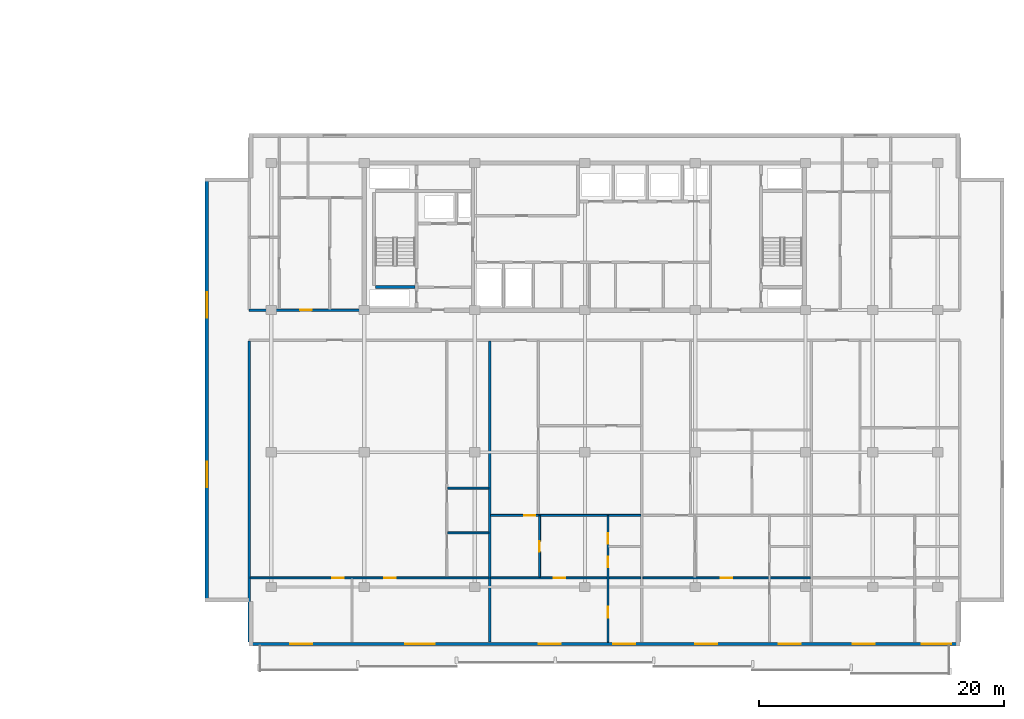
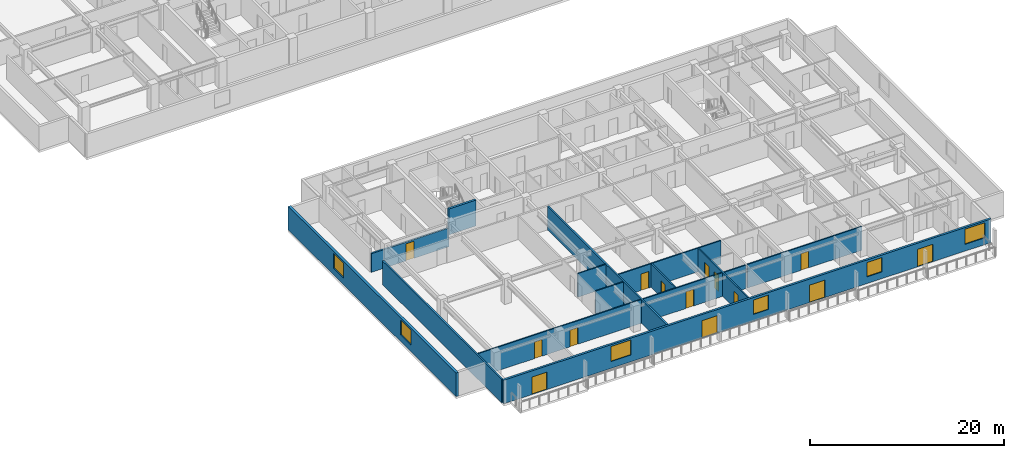
# One storey, part 4 of 21: 14 doors, 14 walls, 6 windows, 20 openings.
"""IFC4 building model written with IfcOpenShell, lengths in metres."""

import ifcopenshell
import ifcopenshell.guid

model = None  # the IFC model being written
_history = None  # IfcOwnerHistory: only IFC2X3 demands one
_inside = {}  # id of a spatial element -> (the spatial element, [elements in it])
_under = {}  # id of a project, library or spatial element -> (it, [spatial elements below it])
_declared = {}  # id of a project -> (the project, [libraries it declares])
_typed = {}  # id of a type object -> (the type object, [elements of that type])
_made_of = {}  # id of a material, layer set ... -> (it, [elements and type objects made of it])


def new_model(schema):
    """Start an empty IFC model of exactly this schema.

    Asked for "IFC4X3", IfcOpenShell would pick the latest addendum, in which some entities
    have other attributes; the version numbers below select the first issue.
    IFC2X3 requires an IfcOwnerHistory on every rooted entity: one is made here for all.
    """
    global model, _history
    if schema == "IFC4X3":
        model = ifcopenshell.file(schema_version=(4, 3, 0, 0))
    else:
        model = ifcopenshell.file(schema=schema)
    _inside.clear()
    _under.clear()
    _declared.clear()
    _typed.clear()
    _made_of.clear()
    _history = None
    if model.schema == "IFC2X3":
        org = make("IfcOrganization", Name="unknown")
        user = make(
            "IfcPersonAndOrganization",
            ThePerson=make("IfcPerson", FamilyName="unknown"),
            TheOrganization=org,
        )
        app = make(
            "IfcApplication",
            ApplicationDeveloper=org,
            Version="unknown",
            ApplicationFullName="unknown",
            ApplicationIdentifier="unknown",
        )
        _history = make(
            "IfcOwnerHistory",
            OwningUser=user,
            OwningApplication=app,
            ChangeAction="ADDED",
            CreationDate=0,
        )
    return model


def make(cls, **values):
    """One entity of the class cls with the attributes given. An attribute that is None is left unset."""
    return model.create_entity(
        cls, **{name: value for name, value in values.items() if value is not None}
    )


def rooted(cls, **values):
    """An entity with a GlobalId (a new one), such as an element, a storey or a relation."""
    return make(cls, GlobalId=ifcopenshell.guid.new(), OwnerHistory=_history, **values)


def si_unit(unit_type, name, prefix=None):
    """IfcSIUnit, for example si_unit("LENGTHUNIT", "METRE", prefix="MILLI")."""
    return make("IfcSIUnit", UnitType=unit_type, Prefix=prefix, Name=name)


def assignment(units):
    """IfcUnitAssignment: the units of a project."""
    return None if units is None else make("IfcUnitAssignment", Units=units)


def point(xyz):
    """IfcCartesianPoint."""
    return None if xyz is None else make("IfcCartesianPoint", Coordinates=xyz)


def direction(xyz):
    """IfcDirection."""
    return None if xyz is None else make("IfcDirection", DirectionRatios=xyz)


def frame(location, z_axis=None, x_axis=None):
    """IfcAxis2Placement3D, a coordinate frame: its origin and axes. An axis left out is left unset."""
    return make(
        "IfcAxis2Placement3D",
        Location=point(location),
        Axis=direction(z_axis),
        RefDirection=direction(x_axis),
    )


def frame_2d(location, x_axis=None):
    """IfcAxis2Placement2D, a coordinate frame in the plane: its origin and x axis."""
    return make(
        "IfcAxis2Placement2D", Location=point(location), RefDirection=direction(x_axis)
    )


def origin():
    """The frame at (0, 0, 0) with its axes left unset."""
    return frame((0.0, 0.0, 0.0))


def place(relative_to, where):
    """IfcLocalPlacement: puts the frame where relative to a parent placement (None: the world)."""
    return make(
        "IfcLocalPlacement", PlacementRelTo=relative_to, RelativePlacement=where
    )


def context(
    kind, dimensions, precision=None, world=None, true_north=None, identifier=None
):
    """IfcGeometricRepresentationContext, for example the 3D "Model" context."""
    return make(
        "IfcGeometricRepresentationContext",
        ContextIdentifier=identifier,
        ContextType=kind,
        CoordinateSpaceDimension=dimensions,
        Precision=precision,
        WorldCoordinateSystem=world,
        TrueNorth=true_north,
    )


def subcontext(parent, identifier, kind, view, scale=None):
    """IfcGeometricRepresentationSubContext, for example "Body" below "Model"."""
    return make(
        "IfcGeometricRepresentationSubContext",
        ContextIdentifier=identifier,
        ContextType=kind,
        ParentContext=parent,
        TargetScale=scale,
        TargetView=view,
    )


def project(units=None, contexts=None):
    """IfcProject with its units and contexts."""
    return rooted(
        "IfcProject",
        Name="project",
        RepresentationContexts=contexts,
        UnitsInContext=assignment(units),
    )


def spatial(cls, under=None, at=None, **own):
    """A site, building, storey or space (cls), placed at a placement, below another one or the project."""
    s = rooted(cls, ObjectPlacement=at, **own)
    if under is not None:
        _under.setdefault(under.id(), (under, []))[1].append(s)
    return s


def profile(cls, at=None, kind="AREA", **sizes):
    """A parametric profile (cls). Its sizes go by their IFC names, for example OverallWidth=200.0."""
    return make(cls, ProfileType=kind, Position=at, **sizes)


def rectangle(**sizes):
    """IfcRectangleProfileDef."""
    return profile("IfcRectangleProfileDef", **sizes)


def extrude(swept, where, along, depth):
    """IfcExtrudedAreaSolid: the profile swept, set in the frame where, extruded along a direction by depth."""
    return make(
        "IfcExtrudedAreaSolid",
        SweptArea=swept,
        Position=where,
        ExtrudedDirection=direction(along),
        Depth=depth,
    )


def shape(context_of_items, identifier, shape_type, items):
    """IfcShapeRepresentation: the items that make up one representation, for example the "Body"."""
    return make(
        "IfcShapeRepresentation",
        ContextOfItems=context_of_items,
        RepresentationIdentifier=identifier,
        RepresentationType=shape_type,
        Items=items,
    )


def material(Name=None, Category=None):
    """IfcMaterial."""
    return make("IfcMaterial", Name=Name, Category=Category)


def layer(
    of_material, thickness, ventilated=None, Name=None, Category=None, Priority=None
):
    """IfcMaterialLayer: one layer of a wall or slab, of a material (None: an air gap)."""
    return make(
        "IfcMaterialLayer",
        Material=of_material,
        LayerThickness=thickness,
        IsVentilated=ventilated,
        Name=Name,
        Category=Category,
        Priority=Priority,
    )


def layer_set(layers, Name=None):
    """IfcMaterialLayerSet."""
    return make("IfcMaterialLayerSet", MaterialLayers=layers, LayerSetName=Name)


def made_of(thing, what):
    """Note that an element or type object is made of a material, layer set ...; save() writes the relation."""
    if what is not None:
        _made_of.setdefault(what.id(), (what, []))[1].append(thing)
    return thing


def type_object(cls, material=None, **own):
    """A type object (cls), such as IfcWallType, which elements share."""
    return made_of(rooted(cls, **own), material)


def element(
    cls,
    number,
    at=None,
    inside=None,
    cuts=None,
    type_object=None,
    material=None,
    context=None,
    identifier="Body",
    shape_type=None,
    held_by="IfcProductDefinitionShape",
    body=None,
    shapes=None,
    **own,
):
    """One element of the class cls, such as IfcWall. Its Tag is "e" and its number.

    at: its placement. inside: the storey or other place that contains it. cuts: it is an
    opening in that element (IfcRelVoidsElement). A single representation is given by context,
    identifier, shape_type and body (its items); several are given by shapes. held_by: the class
    of the entity that holds the representations. save() writes the other relations.
    """
    e = rooted(cls, Tag="e%d" % number, ObjectPlacement=at, **own)
    if body is not None:
        shapes = [shape(context, identifier, shape_type, body)]
    if shapes is not None:
        e.Representation = make(held_by, Representations=shapes)
    if inside is not None:
        _inside.setdefault(inside.id(), (inside, []))[1].append(e)
    if cuts is not None:
        rooted(
            "IfcRelVoidsElement", RelatingBuildingElement=cuts, RelatedOpeningElement=e
        )
    if type_object is not None:
        _typed.setdefault(type_object.id(), (type_object, []))[1].append(e)
    return made_of(e, material)


def fill(opening, filler):
    """IfcRelFillsElement: the door or window that sits in an opening."""
    return rooted(
        "IfcRelFillsElement",
        RelatingOpeningElement=opening,
        RelatedBuildingElement=filler,
    )


def aggregate(whole, parts):
    """IfcRelAggregates: a whole, such as a stair, and the parts it consists of."""
    return rooted("IfcRelAggregates", RelatingObject=whole, RelatedObjects=parts)


def save(model, path):
    """Write the relations noted so far, then the file.

    IfcRelAggregates (storeys below a building ...), IfcRelContainedInSpatialStructure (elements
    in a storey), IfcRelDefinesByType, IfcRelAssociatesMaterial and IfcRelDeclares: one each for
    every whole, place, type object, material and project.
    """
    for whole, parts in _under.values():
        aggregate(whole, parts)
    for where, things in _inside.values():
        rooted(
            "IfcRelContainedInSpatialStructure",
            RelatedElements=things,
            RelatingStructure=where,
        )
    for kind, things in _typed.values():
        rooted("IfcRelDefinesByType", RelatedObjects=things, RelatingType=kind)
    for what, things in _made_of.values():
        rooted("IfcRelAssociatesMaterial", RelatedObjects=things, RelatingMaterial=what)
    for by, libraries in _declared.values():
        rooted("IfcRelDeclares", RelatingContext=by, RelatedDefinitions=libraries)
    model.write(path)


model = new_model("IFC4")

# Units and contexts
model_context = context("Model", 3, precision=1e-05, world=origin(), true_north=direction((0.0, 1.0)))
body_context = subcontext(model_context, "Body", "Model", "MODEL_VIEW")
ifc_project = project(units=[si_unit("LENGTHUNIT", "METRE"), si_unit("AREAUNIT", "SQUARE_METRE"), si_unit("VOLUMEUNIT", "CUBIC_METRE"), si_unit("PLANEANGLEUNIT", "RADIAN"), si_unit("MASSUNIT", "GRAM", prefix="KILO")], contexts=[model_context])

# Site, building, storey
site_placement = place(None, origin())
site = spatial("IfcSite", under=ifc_project, at=site_placement, CompositionType="ELEMENT")
building_placement = place(site_placement, origin())
building = spatial("IfcBuilding", under=site, at=building_placement, Name="Korimba Cascade Residences", CompositionType="ELEMENT")
storey_placement = place(building_placement, frame((0.0, 0.0, 106.800048828125)))
storey = spatial("IfcBuildingStorey", under=building, at=storey_placement, Name="L30", CompositionType="ELEMENT", Elevation=106.800048828125)

# Wall, openings, doors, windows
ifc_material_1 = material(Name="Precast concrete C40/50", Category="concrete")
ifc_layer_1 = layer(ifc_material_1, 0.25)
ifc_layer_set_1 = layer_set([ifc_layer_1], Name="Precast concrete C40/50")
wall_type_1 = type_object("IfcWallType", Name="EW-LOG-250", PredefinedType="STANDARD", material=ifc_layer_set_1)
wall_1_placement = place(storey_placement, frame((72.699951171875, -8.85009765625, 0.0), z_axis=(0.0, 0.0, 1.0), x_axis=(1.0, 0.0, 0.0)))
wall_1 = element("IfcWall", 1, at=wall_1_placement, inside=storey, type_object=wall_type_1, Name="L30 T2 Perimeter Stone Wall E00", PredefinedType="STANDARD", context=body_context, shape_type="SweptSolid", body=[
    extrude(rectangle(XDim=58.0, YDim=0.25, at=frame_2d((29.0, 0.0))), origin(), (0.0, 0.0, 1.0), 2.969970703125),
])
opening_1_placement = place(wall_1_placement, frame((3.3583984375, 0.0, 0.0)))
opening_1 = element("IfcOpeningElement", 2, at=opening_1_placement, cuts=wall_1, Name="Opening D-LG1", PredefinedType="OPENING", context=body_context, shape_type="SweptSolid", body=[
    extrude(rectangle(XDim=1.800048828125, YDim=2.199951171875, at=frame_2d((0.89990234375, 1.10009765625))), frame((0.0, 0.135009765625, 0.0), z_axis=(0.0, -1.0, 0.0), x_axis=(1.0, 0.0, 0.0)), (0.0, 0.0, 1.0), 0.27001953125),
])
opening_2_placement = place(wall_1_placement, frame((12.7548828125, 0.0, 0.85009765625)))
opening_2 = element("IfcOpeningElement", 3, at=opening_2_placement, cuts=wall_1, Name="Opening W-01", PredefinedType="OPENING", context=body_context, shape_type="SweptSolid", body=[
    extrude(rectangle(XDim=2.39990234375, YDim=1.89990234375, at=frame_2d((1.199951171875, 0.949951171875))), frame((0.0, 0.135009765625, 0.0), z_axis=(0.0, -1.0, 0.0), x_axis=(1.0, 0.0, 0.0)), (0.0, 0.0, 1.0), 0.27001953125),
])
opening_3_placement = place(wall_1_placement, frame((23.61669921875, 0.0, 0.0)))
opening_3 = element("IfcOpeningElement", 4, at=opening_3_placement, cuts=wall_1, Name="Opening D-LG1", PredefinedType="OPENING", context=body_context, shape_type="SweptSolid", body=[
    extrude(rectangle(XDim=1.800048828125, YDim=2.199951171875, at=frame_2d((0.89990234375, 1.10009765625))), frame((0.0, 0.135009765625, 0.0), z_axis=(0.0, -1.0, 0.0), x_axis=(1.0, 0.0, 0.0)), (0.0, 0.0, 1.0), 0.27001953125),
])
opening_4_placement = place(wall_1_placement, frame((29.705078125, 0.0, 0.85009765625)))
opening_4 = element("IfcOpeningElement", 5, at=opening_4_placement, cuts=wall_1, Name="Opening W-02", PredefinedType="OPENING", context=body_context, shape_type="SweptSolid", body=[
    extrude(rectangle(XDim=1.800048828125, YDim=1.800048828125, at=frame_2d((0.89990234375, 0.89990234375))), frame((0.0, 0.135009765625, 0.0), z_axis=(0.0, -1.0, 0.0), x_axis=(1.0, 0.0, 0.0)), (0.0, 0.0, 1.0), 0.27001953125),
])
opening_5_placement = place(wall_1_placement, frame((36.41650390625, 0.0, 0.0)))
opening_5 = element("IfcOpeningElement", 6, at=opening_5_placement, cuts=wall_1, Name="Opening D-LG1", PredefinedType="OPENING", context=body_context, shape_type="SweptSolid", body=[
    extrude(rectangle(XDim=1.800048828125, YDim=2.199951171875, at=frame_2d((0.89990234375, 1.10009765625))), frame((0.0, 0.135009765625, 0.0), z_axis=(0.0, -1.0, 0.0), x_axis=(1.0, 0.0, 0.0)), (0.0, 0.0, 1.0), 0.27001953125),
])
opening_6_placement = place(wall_1_placement, frame((43.21337890625, 0.0, 0.85009765625)))
opening_6 = element("IfcOpeningElement", 7, at=opening_6_placement, cuts=wall_1, Name="Opening W-02", PredefinedType="OPENING", context=body_context, shape_type="SweptSolid", body=[
    extrude(rectangle(XDim=1.800048828125, YDim=1.800048828125, at=frame_2d((0.89990234375, 0.89990234375))), frame((0.0, 0.135009765625, 0.0), z_axis=(0.0, -1.0, 0.0), x_axis=(1.0, 0.0, 0.0)), (0.0, 0.0, 1.0), 0.27001953125),
])
opening_7_placement = place(wall_1_placement, frame((49.26171875, 0.0, 0.0)))
opening_7 = element("IfcOpeningElement", 8, at=opening_7_placement, cuts=wall_1, Name="Opening D-LG1", PredefinedType="OPENING", context=body_context, shape_type="SweptSolid", body=[
    extrude(rectangle(XDim=1.800048828125, YDim=2.199951171875, at=frame_2d((0.89990234375, 1.10009765625))), frame((0.0, 0.135009765625, 0.0), z_axis=(0.0, -1.0, 0.0), x_axis=(1.0, 0.0, 0.0)), (0.0, 0.0, 1.0), 0.27001953125),
])
opening_8_placement = place(wall_1_placement, frame((54.89990234375, 0.0, 0.85009765625)))
opening_8 = element("IfcOpeningElement", 9, at=opening_8_placement, cuts=wall_1, Name="Opening W-01", PredefinedType="OPENING", context=body_context, shape_type="SweptSolid", body=[
    extrude(rectangle(XDim=2.39990234375, YDim=1.89990234375, at=frame_2d((1.199951171875, 0.949951171875))), frame((0.0, 0.135009765625, 0.0), z_axis=(0.0, -1.0, 0.0), x_axis=(1.0, 0.0, 0.0)), (0.0, 0.0, 1.0), 0.27001953125),
])
ifc_material_2 = material(Name="Glazed Aluminium Loggia Sliding Door", Category="aluminium")
door_type_1 = type_object("IfcDoorType", Name="DR-EXT-LOG", OperationType="NOTDEFINED", PredefinedType="DOOR", material=ifc_material_2)
door_1_placement = place(opening_1_placement, origin())
door_1 = element("IfcDoor", 10, at=door_1_placement, inside=storey, type_object=door_type_1, Name="L30 T2 Loggia Sliding Door 3", OperationType="SLIDING_TO_RIGHT", OverallHeight=2.199951171875, OverallWidth=1.800048828125, PredefinedType="DOOR", context=body_context, shape_type="SweptSolid", body=[
    extrude(rectangle(XDim=1.800048828125, YDim=2.199951171875, at=frame_2d((0.89990234375, 1.10009765625))), frame((0.0, 0.02490234375, 0.0), z_axis=(0.0, -1.0, 0.0), x_axis=(1.0, 0.0, 0.0)), (0.0, 0.0, 1.0), 0.050048828125),
])
fill(opening_1, door_1)
door_2_placement = place(opening_3_placement, origin())
door_2 = element("IfcDoor", 11, at=door_2_placement, inside=storey, type_object=door_type_1, Name="L30 T2 Loggia Sliding Door 5", OperationType="SLIDING_TO_RIGHT", OverallHeight=2.199951171875, OverallWidth=1.800048828125, PredefinedType="DOOR", context=body_context, shape_type="SweptSolid", body=[
    extrude(rectangle(XDim=1.800048828125, YDim=2.199951171875, at=frame_2d((0.89990234375, 1.10009765625))), frame((0.0, 0.02490234375, 0.0), z_axis=(0.0, -1.0, 0.0), x_axis=(1.0, 0.0, 0.0)), (0.0, 0.0, 1.0), 0.050048828125),
])
fill(opening_3, door_2)
door_3_placement = place(opening_5_placement, origin())
door_3 = element("IfcDoor", 12, at=door_3_placement, inside=storey, type_object=door_type_1, Name="L30 T2 Loggia Sliding Door 7", OperationType="SLIDING_TO_RIGHT", OverallHeight=2.199951171875, OverallWidth=1.800048828125, PredefinedType="DOOR", context=body_context, shape_type="SweptSolid", body=[
    extrude(rectangle(XDim=1.800048828125, YDim=2.199951171875, at=frame_2d((0.89990234375, 1.10009765625))), frame((0.0, 0.02490234375, 0.0), z_axis=(0.0, -1.0, 0.0), x_axis=(1.0, 0.0, 0.0)), (0.0, 0.0, 1.0), 0.050048828125),
])
fill(opening_5, door_3)
door_4_placement = place(opening_7_placement, origin())
door_4 = element("IfcDoor", 13, at=door_4_placement, inside=storey, type_object=door_type_1, Name="L30 T2 Loggia Sliding Door 9", OperationType="SLIDING_TO_RIGHT", OverallHeight=2.199951171875, OverallWidth=1.800048828125, PredefinedType="DOOR", context=body_context, shape_type="SweptSolid", body=[
    extrude(rectangle(XDim=1.800048828125, YDim=2.199951171875, at=frame_2d((0.89990234375, 1.10009765625))), frame((0.0, 0.02490234375, 0.0), z_axis=(0.0, -1.0, 0.0), x_axis=(1.0, 0.0, 0.0)), (0.0, 0.0, 1.0), 0.050048828125),
])
fill(opening_7, door_4)
ifc_material_3 = material(Name="Double-Glazed Aluminium Window", Category="aluminium")
window_type_1 = type_object("IfcWindowType", Name="WIN-BED-1800", PartitioningType="SINGLE_PANEL", PredefinedType="WINDOW", material=ifc_material_3)
window_1_placement = place(opening_4_placement, origin())
window_1 = element("IfcWindow", 14, at=window_1_placement, inside=storey, type_object=window_type_1, Name="L30 T2 South Facade Window 6", OverallHeight=1.800048828125, OverallWidth=1.800048828125, PartitioningType="SINGLE_PANEL", PredefinedType="WINDOW", context=body_context, shape_type="SweptSolid", body=[
    extrude(rectangle(XDim=1.800048828125, YDim=1.800048828125, at=frame_2d((0.89990234375, 0.89990234375))), frame((0.0, 0.030029296875, 0.0), z_axis=(0.0, -1.0, 0.0), x_axis=(1.0, 0.0, 0.0)), (0.0, 0.0, 1.0), 0.06005859375),
])
fill(opening_4, window_1)
window_2_placement = place(opening_6_placement, origin())
window_2 = element("IfcWindow", 15, at=window_2_placement, inside=storey, type_object=window_type_1, Name="L30 T2 South Facade Window 8", OverallHeight=1.800048828125, OverallWidth=1.800048828125, PartitioningType="SINGLE_PANEL", PredefinedType="WINDOW", context=body_context, shape_type="SweptSolid", body=[
    extrude(rectangle(XDim=1.800048828125, YDim=1.800048828125, at=frame_2d((0.89990234375, 0.89990234375))), frame((0.0, 0.030029296875, 0.0), z_axis=(0.0, -1.0, 0.0), x_axis=(1.0, 0.0, 0.0)), (0.0, 0.0, 1.0), 0.06005859375),
])
fill(opening_6, window_2)
window_type_2 = type_object("IfcWindowType", Name="WIN-RES-2400", PartitioningType="DOUBLE_PANEL_VERTICAL", PredefinedType="WINDOW", material=ifc_material_3)
window_3_placement = place(opening_2_placement, origin())
window_3 = element("IfcWindow", 16, at=window_3_placement, inside=storey, type_object=window_type_2, Name="L30 T2 South Facade Window 4", OverallHeight=1.89990234375, OverallWidth=2.39990234375, PartitioningType="DOUBLE_PANEL_VERTICAL", PredefinedType="WINDOW", context=body_context, shape_type="SweptSolid", body=[
    extrude(rectangle(XDim=2.39990234375, YDim=1.89990234375, at=frame_2d((1.199951171875, 0.949951171875))), frame((0.0, 0.030029296875, 0.0), z_axis=(0.0, -1.0, 0.0), x_axis=(1.0, 0.0, 0.0)), (0.0, 0.0, 1.0), 0.06005859375),
])
fill(opening_2, window_3)
window_4_placement = place(opening_8_placement, origin())
window_4 = element("IfcWindow", 17, at=window_4_placement, inside=storey, type_object=window_type_2, Name="L30 T2 South Facade Window 10", OverallHeight=1.89990234375, OverallWidth=2.39990234375, PartitioningType="DOUBLE_PANEL_VERTICAL", PredefinedType="WINDOW", context=body_context, shape_type="SweptSolid", body=[
    extrude(rectangle(XDim=2.39990234375, YDim=1.89990234375, at=frame_2d((1.199951171875, 0.949951171875))), frame((0.0, 0.030029296875, 0.0), z_axis=(0.0, -1.0, 0.0), x_axis=(1.0, 0.0, 0.0)), (0.0, 0.0, 1.0), 0.06005859375),
])
fill(opening_8, window_4)

# Wall, openings, windows
ifc_layer_2 = layer(ifc_material_1, 0.300048828125)
ifc_layer_set_2 = layer_set([ifc_layer_2], Name="Precast concrete C40/50")
wall_type_2 = type_object("IfcWallType", Name="EW-STONE-300", PredefinedType="STANDARD", material=ifc_layer_set_2)
wall_2_placement = place(storey_placement, frame((69.25, 29.199951171875, 0.0), z_axis=(0.0, 0.0, 1.0), x_axis=(0.0, -1.0, 0.0)))
wall_2 = element("IfcWall", 18, at=wall_2_placement, inside=storey, type_object=wall_type_2, Name="L30 T2 Perimeter Stone Wall E09", PredefinedType="STANDARD", context=body_context, shape_type="SweptSolid", body=[
    extrude(rectangle(XDim=34.599853515625, YDim=0.300048828125, at=frame_2d((17.2998046875, 0.0))), origin(), (0.0, 0.0, 1.0), 2.969970703125),
])
opening_9_placement = place(wall_2_placement, frame((9.330078125, 0.0, 0.85009765625)))
opening_9 = element("IfcOpeningElement", 19, at=opening_9_placement, cuts=wall_2, Name="Opening W-03", PredefinedType="OPENING", context=body_context, shape_type="SweptSolid", body=[
    extrude(rectangle(XDim=2.10009765625, YDim=1.85009765625, at=frame_2d((1.050048828125, 0.925048828125))), frame((0.0, 0.16015625, 0.0), z_axis=(0.0, -1.0, 0.0), x_axis=(1.0, 0.0, 0.0)), (0.0, 0.0, 1.0), 0.320068359375),
])
opening_10_placement = place(wall_2_placement, frame((23.169921875, 0.0, 0.85009765625)))
opening_10 = element("IfcOpeningElement", 20, at=opening_10_placement, cuts=wall_2, Name="Opening W-03", PredefinedType="OPENING", context=body_context, shape_type="SweptSolid", body=[
    extrude(rectangle(XDim=2.10009765625, YDim=1.85009765625, at=frame_2d((1.050048828125, 0.925048828125))), frame((0.0, 0.16015625, 0.0), z_axis=(0.0, -1.0, 0.0), x_axis=(1.0, 0.0, 0.0)), (0.0, 0.0, 1.0), 0.320068359375),
])
window_type_3 = type_object("IfcWindowType", Name="WIN-CRN-2100", PartitioningType="DOUBLE_PANEL_HORIZONTAL", PredefinedType="WINDOW", material=ifc_material_3)
window_5_placement = place(opening_9_placement, origin())
window_5 = element("IfcWindow", 21, at=window_5_placement, inside=storey, type_object=window_type_3, Name="L30 T2 End View Window 9.1", OverallHeight=1.85009765625, OverallWidth=2.10009765625, PartitioningType="DOUBLE_PANEL_HORIZONTAL", PredefinedType="WINDOW", context=body_context, shape_type="SweptSolid", body=[
    extrude(rectangle(XDim=2.10009765625, YDim=1.85009765625, at=frame_2d((1.050048828125, 0.925048828125))), frame((0.0, 0.030029296875, 0.0), z_axis=(0.0, -1.0, 0.0), x_axis=(1.0, 0.0, 0.0)), (0.0, 0.0, 1.0), 0.06005859375),
])
fill(opening_9, window_5)
window_6_placement = place(opening_10_placement, origin())
window_6 = element("IfcWindow", 22, at=window_6_placement, inside=storey, type_object=window_type_3, Name="L30 T2 End View Window 9.2", OverallHeight=1.85009765625, OverallWidth=2.10009765625, PartitioningType="DOUBLE_PANEL_HORIZONTAL", PredefinedType="WINDOW", context=body_context, shape_type="SweptSolid", body=[
    extrude(rectangle(XDim=2.10009765625, YDim=1.85009765625, at=frame_2d((1.050048828125, 0.925048828125))), frame((0.0, 0.030029296875, 0.0), z_axis=(0.0, -1.0, 0.0), x_axis=(1.0, 0.0, 0.0)), (0.0, 0.0, 1.0), 0.06005859375),
])
fill(opening_10, window_6)

# Wall, opening, door
ifc_layer_3 = layer(ifc_material_1, 0.199951171875)
ifc_layer_set_3 = layer_set([ifc_layer_3], Name="Precast concrete C40/50")
wall_type_3 = type_object("IfcWallType", Name="WAL-IT-200", PredefinedType="PARTITIONING", material=ifc_layer_set_3)
wall_3_placement = place(storey_placement, frame((72.699951171875, 18.39990234375, 0.0), z_axis=(0.0, 0.0, 1.0), x_axis=(1.0, 0.0, 0.0)))
wall_3 = element("IfcWall", 23, at=wall_3_placement, inside=storey, type_object=wall_type_3, Name="L30 Partition Wall WAL-L30-T2-FW-S", PredefinedType="PARTITIONING", context=body_context, shape_type="SweptSolid", body=[
    extrude(rectangle(XDim=9.25, YDim=0.199951171875, at=frame_2d((4.625, 0.0))), origin(), (0.0, 0.0, 1.0), 2.357666015625),
])
opening_11_placement = place(wall_3_placement, frame((4.14990234375, 0.0, 0.0)))
opening_11 = element("IfcOpeningElement", 24, at=opening_11_placement, cuts=wall_3, Name="Opening D-UN1", PredefinedType="OPENING", context=body_context, shape_type="SweptSolid", body=[
    extrude(rectangle(XDim=0.949951171875, YDim=2.14990234375, at=frame_2d((0.47509765625, 1.074951171875))), frame((0.0, 0.10986328125, 0.0), z_axis=(0.0, -1.0, 0.0), x_axis=(1.0, 0.0, 0.0)), (0.0, 0.0, 1.0), 0.219970703125),
])
ifc_material_4 = material(Name="Fire-Rated Hardwood Apartment Entrance Door", Category="wood")
door_type_2 = type_object("IfcDoorType", Name="DR-FD60-950", OperationType="NOTDEFINED", PredefinedType="DOOR", material=ifc_material_4)
door_5_placement = place(opening_11_placement, origin())
door_5 = element("IfcDoor", 25, at=door_5_placement, inside=storey, type_object=door_type_2, Name="L30-T2-FW Entrance Door", OperationType="SINGLE_SWING_RIGHT", OverallHeight=2.14990234375, OverallWidth=0.949951171875, PredefinedType="DOOR", context=body_context, shape_type="SweptSolid", body=[
    extrude(rectangle(XDim=0.949951171875, YDim=2.14990234375, at=frame_2d((0.47509765625, 1.074951171875))), frame((0.0, 0.02490234375, 0.0), z_axis=(0.0, -1.0, 0.0), x_axis=(1.0, 0.0, 0.0)), (0.0, 0.0, 1.0), 0.050048828125),
])
fill(opening_11, door_5)

# Walls
for number, where, z_axis, x_axis, name in (
    (26, (72.699951171875, -8.699951171875, 0.0), (0.0, 0.0, 1.0), (0.0, 1.0, 0.0), "L30 Partition Wall WAL-L30-T2-BNDWL"),
    (27, (92.333251953125, -8.699951171875, 0.0), (0.0, 0.0, 1.0), (0.0, 1.0, 0.0), "L30 Partition Wall WAL-L30-T2-DEM-1"),
):
    element("IfcWall", number, at=place(storey_placement, frame(where, z_axis=z_axis, x_axis=x_axis)), inside=storey, type_object=wall_type_3, Name=name, PredefinedType="PARTITIONING", context=body_context, shape_type="SweptSolid", body=[
        extrude(rectangle(XDim=24.570068359375, YDim=0.199951171875, at=frame_2d((12.28515625, 0.0))), origin(), (0.0, 0.0, 1.0), 2.969970703125),
    ])
ifc_material_5 = material(Name="Insulated Acoustic Stud Partition", Category="gypsum")
ifc_layer_4 = layer(ifc_material_5, 0.14990234375)
ifc_layer_set_4 = layer_set([ifc_layer_4], Name="Insulated Acoustic Stud Partition")
wall_type_4 = type_object("IfcWallType", Name="WAL-PART-150", PredefinedType="PARTITIONING", material=ifc_layer_set_4)
for number, where, z_axis, x_axis, name in (
    (28, (88.893310546875, 0.219970703125, 0.0), (0.0, 0.0, 1.0), (1.0, 0.0, 0.0), "L30 Partition Wall WAL-L30-T2-U01-WCH"),
    (29, (88.893310546875, 3.8701171875, 0.0), (0.0, 0.0, 1.0), (1.0, 0.0, 0.0), "L30 Partition Wall WAL-L30-T2-U01-WCH2"),
):
    element("IfcWall", number, at=place(storey_placement, frame(where, z_axis=z_axis, x_axis=x_axis)), inside=storey, type_object=wall_type_4, Name=name, PredefinedType="PARTITIONING", context=body_context, shape_type="SweptSolid", body=[
        extrude(rectangle(XDim=3.360107421875, YDim=0.14990234375, at=frame_2d((1.68017578125, 0.0))), origin(), (0.0, 0.0, 1.0), 2.969970703125),
    ])

# Wall, openings, doors
wall_4_placement = place(storey_placement, frame((72.780029296875, -3.449951171875, 0.0), z_axis=(0.0, 0.0, 1.0), x_axis=(1.0, 0.0, 0.0)))
wall_4 = element("IfcWall", 30, at=wall_4_placement, inside=storey, type_object=wall_type_4, Name="L30 Partition Wall WAL-L30-T2-U01-HZ", PredefinedType="PARTITIONING", context=body_context, shape_type="SweptSolid", body=[
    extrude(rectangle(XDim=19.473388671875, YDim=0.14990234375, at=frame_2d((9.73681640625, 0.0))), origin(), (0.0, 0.0, 1.0), 2.969970703125),
])
opening_12_placement = place(wall_4_placement, frame((6.714111328125, 0.0, 0.0)))
opening_12 = element("IfcOpeningElement", 31, at=opening_12_placement, cuts=wall_4, Name="Opening D-IN0", PredefinedType="OPENING", context=body_context, shape_type="SweptSolid", body=[
    extrude(rectangle(XDim=0.93994140625, YDim=2.10009765625, at=frame_2d((0.469970703125, 1.050048828125))), frame((0.0, 0.0849609375, 0.0), z_axis=(0.0, -1.0, 0.0), x_axis=(1.0, 0.0, 0.0)), (0.0, 0.0, 1.0), 0.169921875),
])
opening_13_placement = place(wall_4_placement, frame((10.959228515625, 0.0, 0.0)))
opening_13 = element("IfcOpeningElement", 32, at=opening_13_placement, cuts=wall_4, Name="Opening D-IN0", PredefinedType="OPENING", context=body_context, shape_type="SweptSolid", body=[
    extrude(rectangle(XDim=0.93994140625, YDim=2.10009765625, at=frame_2d((0.469970703125, 1.050048828125))), frame((0.0, 0.0849609375, 0.0), z_axis=(0.0, -1.0, 0.0), x_axis=(1.0, 0.0, 0.0)), (0.0, 0.0, 1.0), 0.169921875),
])
ifc_material_6 = material(Name="Acoustic Timber Living Archway Door", Category="wood")
door_type_3 = type_object("IfcDoorType", Name="DR-INT-950", OperationType="NOTDEFINED", PredefinedType="DOOR", material=ifc_material_6)
door_6_placement = place(opening_12_placement, origin())
door_6 = element("IfcDoor", 33, at=door_6_placement, inside=storey, type_object=door_type_3, Name="L30-T2-U01 Fitness Pilates Gym Door", OperationType="SINGLE_SWING_RIGHT", OverallHeight=2.10009765625, OverallWidth=0.93994140625, PredefinedType="DOOR", context=body_context, shape_type="SweptSolid", body=[
    extrude(rectangle(XDim=0.93994140625, YDim=2.10009765625, at=frame_2d((0.469970703125, 1.050048828125))), frame((0.0, 0.02490234375, 0.0), z_axis=(0.0, -1.0, 0.0), x_axis=(1.0, 0.0, 0.0)), (0.0, 0.0, 1.0), 0.050048828125),
])
fill(opening_12, door_6)
door_7_placement = place(opening_13_placement, origin())
door_7 = element("IfcDoor", 34, at=door_7_placement, inside=storey, type_object=door_type_3, Name="L30-T2-U01 Private Screening Cinema Door", OperationType="SINGLE_SWING_LEFT", OverallHeight=2.10009765625, OverallWidth=0.93994140625, PredefinedType="DOOR", context=body_context, shape_type="SweptSolid", body=[
    extrude(rectangle(XDim=0.93994140625, YDim=2.10009765625, at=frame_2d((0.469970703125, 1.050048828125))), frame((0.0, 0.02490234375, 0.0), z_axis=(0.0, -1.0, 0.0), x_axis=(1.0, 0.0, 0.0)), (0.0, 0.0, 1.0), 0.050048828125),
])
fill(opening_13, door_7)

# Wall, opening, door
wall_5_placement = place(storey_placement, frame((96.4033203125, -3.389892578125, 0.0), z_axis=(0.0, 0.0, 1.0), x_axis=(0.0, 1.0, 0.0)))
wall_5 = element("IfcWall", 35, at=wall_5_placement, inside=storey, type_object=wall_type_4, Name="L30 Partition Wall WAL-L30-T2-U02-VDIN", PredefinedType="PARTITIONING", context=body_context, shape_type="SweptSolid", body=[
    extrude(rectangle(XDim=5.0, YDim=0.14990234375, at=frame_2d((2.5, 0.0))), origin(), (0.0, 0.0, 1.0), 2.969970703125),
])
opening_14_placement = place(wall_5_placement, frame((2.06005859375, 0.0, 0.0)))
opening_14 = element("IfcOpeningElement", 36, at=opening_14_placement, cuts=wall_5, Name="Opening D-IN2", PredefinedType="OPENING", context=body_context, shape_type="SweptSolid", body=[
    extrude(rectangle(XDim=0.8798828125, YDim=2.06005859375, at=frame_2d((0.43994140625, 1.030029296875))), frame((0.0, 0.0849609375, 0.0), z_axis=(0.0, -1.0, 0.0), x_axis=(1.0, 0.0, 0.0)), (0.0, 0.0, 1.0), 0.169921875),
])
ifc_material_7 = material(Name="Acoustic Timber Bedroom Door", Category="wood")
door_type_4 = type_object("IfcDoorType", Name="DR-INT-880", OperationType="NOTDEFINED", PredefinedType="DOOR", material=ifc_material_7)
door_8_placement = place(opening_14_placement, origin())
door_8 = element("IfcDoor", 37, at=door_8_placement, inside=storey, type_object=door_type_4, Name="L30-T2-U02 Dining Room Door", OperationType="SINGLE_SWING_RIGHT", OverallHeight=2.06005859375, OverallWidth=0.8798828125, PredefinedType="DOOR", context=body_context, shape_type="SweptSolid", body=[
    extrude(rectangle(XDim=0.8798828125, YDim=2.06005859375, at=frame_2d((0.43994140625, 1.030029296875))), frame((0.0, 0.02490234375, 0.0), z_axis=(0.0, -1.0, 0.0), x_axis=(1.0, 0.0, 0.0)), (0.0, 0.0, 1.0), 0.050048828125),
])
fill(opening_14, door_8)

# Wall, openings, doors
wall_6_placement = place(storey_placement, frame((101.97998046875, -8.699951171875, 0.0), z_axis=(0.0, 0.0, 1.0), x_axis=(0.0, 1.0, 0.0)))
wall_6 = element("IfcWall", 38, at=wall_6_placement, inside=storey, type_object=wall_type_4, Name="L30 Partition Wall WAL-L30-T2-U02-V1", PredefinedType="PARTITIONING", context=body_context, shape_type="SweptSolid", body=[
    extrude(rectangle(XDim=10.31005859375, YDim=0.14990234375, at=frame_2d((5.155029296875, 0.0))), origin(), (0.0, 0.0, 1.0), 2.969970703125),
])
opening_15_placement = place(wall_6_placement, frame((6.120361328125, 0.0, 0.0)))
opening_15 = element("IfcOpeningElement", 39, at=opening_15_placement, cuts=wall_6, Name="Opening D-BT1", PredefinedType="OPENING", context=body_context, shape_type="SweptSolid", body=[
    extrude(rectangle(XDim=0.840087890625, YDim=2.0400390625, at=frame_2d((0.419921875, 1.02001953125))), frame((0.0, 0.0849609375, 0.0), z_axis=(0.0, -1.0, 0.0), x_axis=(1.0, 0.0, 0.0)), (0.0, 0.0, 1.0), 0.169921875),
])
opening_16_placement = place(wall_6_placement, frame((8.03955078125, 0.0, 0.0)))
opening_16 = element("IfcOpeningElement", 40, at=opening_16_placement, cuts=wall_6, Name="Opening D-BT1", PredefinedType="OPENING", context=body_context, shape_type="SweptSolid", body=[
    extrude(rectangle(XDim=0.840087890625, YDim=2.0400390625, at=frame_2d((0.419921875, 1.02001953125))), frame((0.0, 0.0849609375, 0.0), z_axis=(0.0, -1.0, 0.0), x_axis=(1.0, 0.0, 0.0)), (0.0, 0.0, 1.0), 0.169921875),
])
opening_17_placement = place(wall_6_placement, frame((2.001220703125, 0.0, 0.0)))
opening_17 = element("IfcOpeningElement", 41, at=opening_17_placement, cuts=wall_6, Name="Opening D-IN2", PredefinedType="OPENING", context=body_context, shape_type="SweptSolid", body=[
    extrude(rectangle(XDim=0.8798828125, YDim=2.06005859375, at=frame_2d((0.43994140625, 1.030029296875))), frame((0.0, 0.0849609375, 0.0), z_axis=(0.0, -1.0, 0.0), x_axis=(1.0, 0.0, 0.0)), (0.0, 0.0, 1.0), 0.169921875),
])
ifc_material_8 = material(Name="Moisture-Resistant Bathroom Timber Door", Category="wood")
door_type_5 = type_object("IfcDoorType", Name="DR-INT-850", OperationType="NOTDEFINED", PredefinedType="DOOR", material=ifc_material_8)
door_9_placement = place(opening_15_placement, origin())
door_9 = element("IfcDoor", 42, at=door_9_placement, inside=storey, type_object=door_type_5, Name="L30-T2-U02 Bathroom Door", OperationType="SINGLE_SWING_LEFT", OverallHeight=2.0400390625, OverallWidth=0.840087890625, PredefinedType="DOOR", context=body_context, shape_type="SweptSolid", body=[
    extrude(rectangle(XDim=0.840087890625, YDim=2.0400390625, at=frame_2d((0.419921875, 1.02001953125))), frame((0.0, 0.02490234375, 0.0), z_axis=(0.0, -1.0, 0.0), x_axis=(1.0, 0.0, 0.0)), (0.0, 0.0, 1.0), 0.050048828125),
])
fill(opening_15, door_9)
door_10_placement = place(opening_16_placement, origin())
door_10 = element("IfcDoor", 43, at=door_10_placement, inside=storey, type_object=door_type_5, Name="L30-T2-U02 Laundry Door", OperationType="SINGLE_SWING_RIGHT", OverallHeight=2.0400390625, OverallWidth=0.840087890625, PredefinedType="DOOR", context=body_context, shape_type="SweptSolid", body=[
    extrude(rectangle(XDim=0.840087890625, YDim=2.0400390625, at=frame_2d((0.419921875, 1.02001953125))), frame((0.0, 0.02490234375, 0.0), z_axis=(0.0, -1.0, 0.0), x_axis=(1.0, 0.0, 0.0)), (0.0, 0.0, 1.0), 0.050048828125),
])
fill(opening_16, door_10)
door_11_placement = place(opening_17_placement, origin())
door_11 = element("IfcDoor", 44, at=door_11_placement, inside=storey, type_object=door_type_4, Name="L30-T2-U02 Bedroom 1 Door", OperationType="SINGLE_SWING_LEFT", OverallHeight=2.06005859375, OverallWidth=0.8798828125, PredefinedType="DOOR", context=body_context, shape_type="SweptSolid", body=[
    extrude(rectangle(XDim=0.8798828125, YDim=2.06005859375, at=frame_2d((0.43994140625, 1.030029296875))), frame((0.0, 0.02490234375, 0.0), z_axis=(0.0, -1.0, 0.0), x_axis=(1.0, 0.0, 0.0)), (0.0, 0.0, 1.0), 0.050048828125),
])
fill(opening_17, door_11)

# Wall, opening, door
wall_7_placement = place(storey_placement, frame((92.413330078125, 1.64990234375, 0.0), z_axis=(0.0, 0.0, 1.0), x_axis=(1.0, 0.0, 0.0)))
wall_7 = element("IfcWall", 45, at=wall_7_placement, inside=storey, type_object=wall_type_4, Name="L30 Partition Wall WAL-L30-T2-U02-MW", PredefinedType="PARTITIONING", context=body_context, shape_type="SweptSolid", body=[
    extrude(rectangle(XDim=12.256591796875, YDim=0.14990234375, at=frame_2d((6.12841796875, 0.0))), origin(), (0.0, 0.0, 1.0), 2.969970703125),
])
opening_18_placement = place(wall_7_placement, frame((2.719970703125, 0.0, 0.0)))
opening_18 = element("IfcOpeningElement", 46, at=opening_18_placement, cuts=wall_7, Name="Opening D-IN1", PredefinedType="OPENING", context=body_context, shape_type="SweptSolid", body=[
    extrude(rectangle(XDim=0.919921875, YDim=2.080078125, at=frame_2d((0.4599609375, 1.0400390625))), frame((0.0, 0.0849609375, 0.0), z_axis=(0.0, -1.0, 0.0), x_axis=(1.0, 0.0, 0.0)), (0.0, 0.0, 1.0), 0.169921875),
])
ifc_material_9 = material(Name="Acoustic Timber Living Door", Category="wood")
door_type_6 = type_object("IfcDoorType", Name="DR-INT-920", OperationType="NOTDEFINED", PredefinedType="DOOR", material=ifc_material_9)
door_12_placement = place(opening_18_placement, origin())
door_12 = element("IfcDoor", 47, at=door_12_placement, inside=storey, type_object=door_type_6, Name="L30-T2-U02 Kitchen Archway Door", OperationType="SINGLE_SWING_RIGHT", OverallHeight=2.080078125, OverallWidth=0.919921875, PredefinedType="DOOR", context=body_context, shape_type="SweptSolid", body=[
    extrude(rectangle(XDim=0.919921875, YDim=2.080078125, at=frame_2d((0.4599609375, 1.0400390625))), frame((0.0, 0.02490234375, 0.0), z_axis=(0.0, -1.0, 0.0), x_axis=(1.0, 0.0, 0.0)), (0.0, 0.0, 1.0), 0.050048828125),
])
fill(opening_18, door_12)

wall_8_placement = place(storey_placement, frame((92.413330078125, -3.449951171875, 0.0), z_axis=(0.0, 0.0, 1.0), x_axis=(1.0, 0.0, 0.0)))
wall_8 = element("IfcWall", 48, at=wall_8_placement, inside=storey, type_object=wall_type_4, Name="L30 Partition Wall WAL-L30-T2-U02-HZ", PredefinedType="PARTITIONING", context=body_context, shape_type="SweptSolid", body=[
    extrude(rectangle(XDim=12.256591796875, YDim=0.14990234375, at=frame_2d((6.12841796875, 0.0))), origin(), (0.0, 0.0, 1.0), 2.969970703125),
])
opening_19_placement = place(wall_8_placement, frame((5.1259765625, 0.0, 0.0)))
opening_19 = element("IfcOpeningElement", 49, at=opening_19_placement, cuts=wall_8, Name="Opening D-IN0", PredefinedType="OPENING", context=body_context, shape_type="SweptSolid", body=[
    extrude(rectangle(XDim=0.93994140625, YDim=2.10009765625, at=frame_2d((0.469970703125, 1.050048828125))), frame((0.0, 0.0849609375, 0.0), z_axis=(0.0, -1.0, 0.0), x_axis=(1.0, 0.0, 0.0)), (0.0, 0.0, 1.0), 0.169921875),
])
door_13_placement = place(opening_19_placement, origin())
door_13 = element("IfcDoor", 50, at=door_13_placement, inside=storey, type_object=door_type_3, Name="L30-T2-U02 Living Archway Door", OperationType="SINGLE_SWING_LEFT", OverallHeight=2.10009765625, OverallWidth=0.93994140625, PredefinedType="DOOR", context=body_context, shape_type="SweptSolid", body=[
    extrude(rectangle(XDim=0.93994140625, YDim=2.10009765625, at=frame_2d((0.469970703125, 1.050048828125))), frame((0.0, 0.02490234375, 0.0), z_axis=(0.0, -1.0, 0.0), x_axis=(1.0, 0.0, 0.0)), (0.0, 0.0, 1.0), 0.050048828125),
])
fill(opening_19, door_13)

wall_9_placement = place(storey_placement, frame((104.830078125, -3.449951171875, 0.0), z_axis=(0.0, 0.0, 1.0), x_axis=(1.0, 0.0, 0.0)))
wall_9 = element("IfcWall", 51, at=wall_9_placement, inside=storey, type_object=wall_type_4, Name="L30 Partition Wall WAL-L30-T2-U03-HZ", PredefinedType="PARTITIONING", context=body_context, shape_type="SweptSolid", body=[
    extrude(rectangle(XDim=13.67333984375, YDim=0.14990234375, at=frame_2d((6.836669921875, 0.0))), origin(), (0.0, 0.0, 1.0), 2.969970703125),
])
opening_20_placement = place(wall_9_placement, frame((6.36669921875, 0.0, 0.0)))
opening_20 = element("IfcOpeningElement", 52, at=opening_20_placement, cuts=wall_9, Name="Opening D-IN0", PredefinedType="OPENING", context=body_context, shape_type="SweptSolid", body=[
    extrude(rectangle(XDim=0.93994140625, YDim=2.10009765625, at=frame_2d((0.469970703125, 1.050048828125))), frame((0.0, 0.0849609375, 0.0), z_axis=(0.0, -1.0, 0.0), x_axis=(1.0, 0.0, 0.0)), (0.0, 0.0, 1.0), 0.169921875),
])
door_14_placement = place(opening_20_placement, origin())
door_14 = element("IfcDoor", 53, at=door_14_placement, inside=storey, type_object=door_type_3, Name="L30-T2-U03 Living Archway Door", OperationType="SINGLE_SWING_RIGHT", OverallHeight=2.10009765625, OverallWidth=0.93994140625, PredefinedType="DOOR", context=body_context, shape_type="SweptSolid", body=[
    extrude(rectangle(XDim=0.93994140625, YDim=2.10009765625, at=frame_2d((0.469970703125, 1.050048828125))), frame((0.0, 0.02490234375, 0.0), z_axis=(0.0, -1.0, 0.0), x_axis=(1.0, 0.0, 0.0)), (0.0, 0.0, 1.0), 0.050048828125),
])
fill(opening_20, door_14)

# Wall
ifc_material_10 = material(Name="Concrete C50/60", Category="concrete")
ifc_layer_5 = layer(ifc_material_10, 0.25)
ifc_layer_set_5 = layer_set([ifc_layer_5], Name="Concrete C50/60")
wall_type_5 = type_object("IfcWallType", Name="WAL-SHAFT-250", PredefinedType="SHEAR", material=ifc_layer_set_5)
wall_10_placement = place(storey_placement, frame((83.0, 20.27490234375, 0.0), z_axis=(0.0, 0.0, 1.0), x_axis=(1.0, 0.0, 0.0)))
element("IfcWall", 54, at=wall_10_placement, inside=storey, type_object=wall_type_5, Name="L30 Core Shear Wall CW-L30-T2-STE1S", PredefinedType="SHEAR", context=body_context, shape_type="SweptSolid", body=[
    extrude(rectangle(XDim=3.239990234375, YDim=0.25, at=frame_2d((1.6201171875, 0.0))), origin(), (0.0, 0.0, 1.0), 3.25),
])

save(model, "model.ifc")
